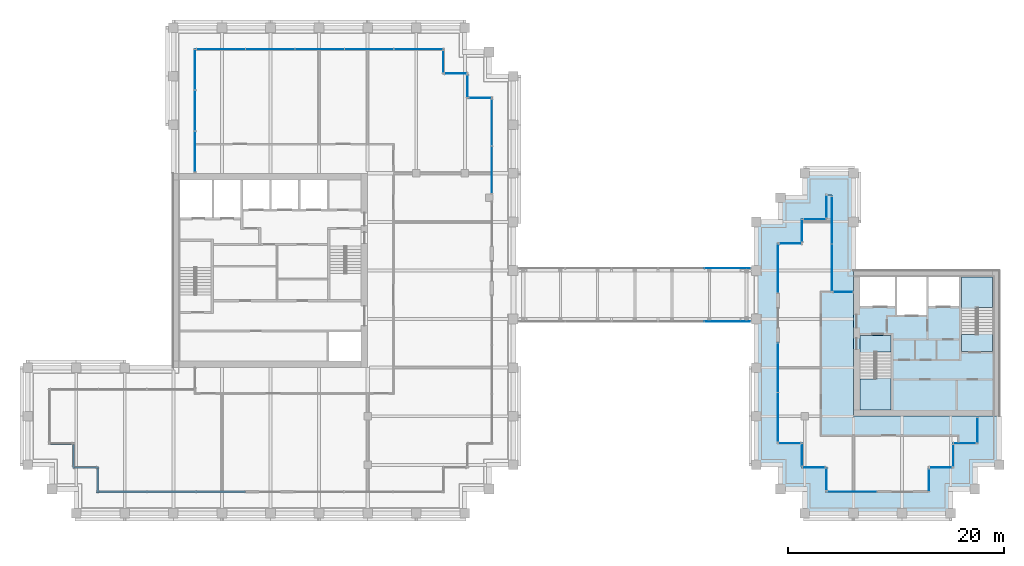
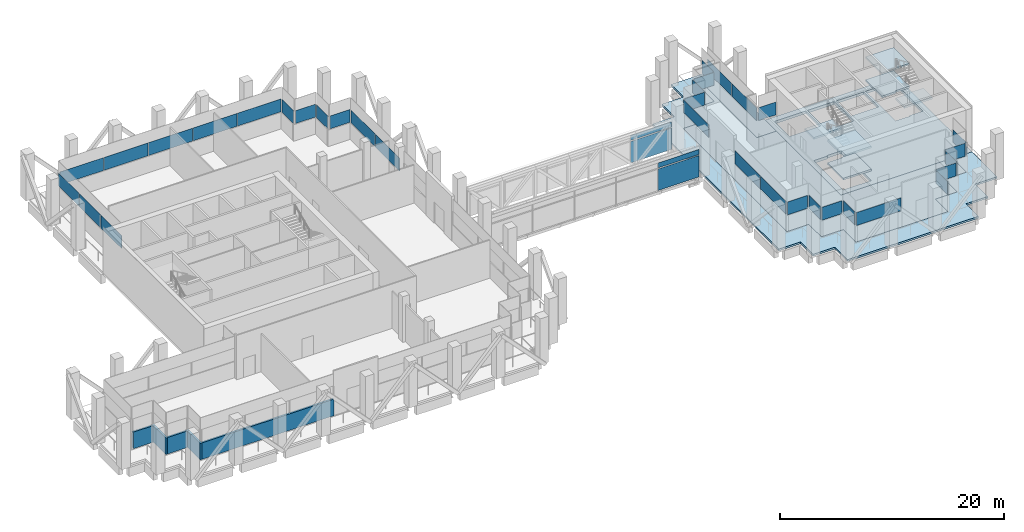
# One storey, part 27 of 34: 38 plates, 9 slabs, 5 walls, 29 elements without a shape of their own.
"""IFC4 building model written with IfcOpenShell, lengths in metres."""

from ifc_helpers import new_model, si_unit, direction, frame, frame_2d, origin, origin_2d, place, context, subcontext, project, spatial, polyline, rectangle, outline, extrude, material, layer, layer_set, type_object, element, aggregate, save


model = new_model("IFC4")

# Units and contexts
model_context = context("Model", 3, precision=1e-05, world=origin(), true_north=direction((0.0, 1.0)))
body_context = subcontext(model_context, "Body", "Model", "MODEL_VIEW")
ifc_project = project(units=[si_unit("LENGTHUNIT", "METRE"), si_unit("AREAUNIT", "SQUARE_METRE"), si_unit("VOLUMEUNIT", "CUBIC_METRE"), si_unit("PLANEANGLEUNIT", "RADIAN"), si_unit("MASSUNIT", "GRAM", prefix="KILO")], contexts=[model_context])

# Site, building, storey
site_placement = place(None, origin())
site = spatial("IfcSite", under=ifc_project, at=site_placement, CompositionType="ELEMENT")
building_placement = place(site_placement, origin())
building = spatial("IfcBuilding", under=site, at=building_placement, Name="Altepetl Exchange Towers", CompositionType="ELEMENT")
storey_placement = place(building_placement, frame((0.0, 0.0, 190.60009765625)))
storey = spatial("IfcBuildingStorey", under=building, at=storey_placement, Name="L48 Refuge", CompositionType="ELEMENT", Elevation=190.60009765625)

# Slabs
ifc_material_1 = material(Name="Concrete C40/50", Category="concrete")
ifc_layer_1 = layer(ifc_material_1, 0.199951171875)
ifc_layer_set_1 = layer_set([ifc_layer_1], Name="Concrete C40/50")
slab_type_1 = type_object("IfcSlabType", Name="Composite floor slab 200", PredefinedType="FLOOR", material=ifc_layer_set_1)
slab_1_placement = place(storey_placement, frame((0.0, 0.0, -0.2001953125)))
element("IfcSlab", 1, at=slab_1_placement, inside=storey, type_object=slab_type_1, Name="slab:B:L48:strip0", PredefinedType="FLOOR", context=body_context, shape_type="SweptSolid", body=[
    extrude(outline(polyline([(98.75, 31.25), (101.0, 31.25), (101.0, 29.0), (110.5, 29.0), (110.5, 31.25), (112.75, 31.25), (112.75, 33.5), (115.0, 33.5), (115.0, 36.0), (103.5, 36.0), (103.5, 47.5), (101.5, 47.5), (101.5, 56.5), (101.0, 56.5), (101.0, 54.25), (98.75, 54.25), (98.75, 52.0), (96.5, 52.0), (96.5, 33.5), (98.75, 33.5), (98.75, 31.25)])), origin(), (0.0, 0.0, 1.0), 0.2001953125),
])
ifc_layer_2 = layer(ifc_material_1, 0.300048828125)
ifc_layer_set_2 = layer_set([ifc_layer_2], Name="Concrete C40/50")
slab_type_2 = type_object("IfcSlabType", Name="Core floor slab 300", PredefinedType="FLOOR", material=ifc_layer_set_2)
slab_2_placement = place(storey_placement, frame((0.0, 0.0, -0.300048828125)))
element("IfcSlab", 2, at=slab_2_placement, inside=storey, type_object=slab_type_2, Name="slab:B:L48:core0", PredefinedType="FLOOR", context=body_context, shape_type="SweptSolid", body=[
    extrude(outline(polyline([(103.5, 36.0), (117.0, 36.0), (117.0, 49.5), (103.5, 49.5), (103.5, 36.0)]), holes=[polyline([(107.0, 36.60009765625), (104.10009765625, 36.60009765625), (104.10009765625, 41.85009765625), (105.5, 41.85009765625), (105.5, 41.948974609375), (107.0, 41.948974609375), (107.0, 36.60009765625)]), polyline([(113.5, 48.89990234375), (116.39990234375, 48.89990234375), (116.39990234375, 43.64990234375), (115.0, 43.64990234375), (115.0, 43.551025390625), (113.5, 43.551025390625), (113.5, 48.89990234375)]), polyline([(107.532958984375, 45.39990234375), (107.532958984375, 48.89990234375), (110.26708984375, 48.89990234375), (110.26708984375, 45.39990234375), (107.532958984375, 45.39990234375)]), polyline([(104.10009765625, 48.89990234375), (107.3330078125, 48.89990234375), (107.3330078125, 46.199951171875), (104.10009765625, 46.199951171875), (104.10009765625, 48.89990234375)]), polyline([(110.467041015625, 48.89990234375), (113.300048828125, 48.89990234375), (113.300048828125, 46.199951171875), (110.467041015625, 46.199951171875), (110.467041015625, 48.89990234375)])]), origin(), (0.0, 0.0, 1.0), 0.300048828125),
])

# Curtain wall, plates
ifc_material_2 = material(Name="Aluminium 6063-T6 glazing", Category="aluminium")
curtain_wall_type_1 = type_object("IfcCurtainWallType", Name="Bridge enclosure system", PredefinedType="NOTDEFINED", material=ifc_material_2)
curtain_wall_1_placement = place(storey_placement, origin())
curtain_wall_1 = element("IfcCurtainWall", 3, at=curtain_wall_1_placement, inside=storey, type_object=curtain_wall_type_1, Name="CW6 run", PredefinedType="NOTDEFINED")
ifc_material_3 = material(Name="Glass 6-16-6 low emissivity", Category="glass")
ifc_layer_3 = layer(ifc_material_3, 0.028076171875)
ifc_layer_set_3 = layer_set([ifc_layer_3], Name="Glass 6-16-6 low emissivity")
plate_type_1 = type_object("IfcPlateType", Name="Glass panel 28 double glazed", PredefinedType="CURTAIN_PANEL", material=ifc_layer_set_3)
plate_1_placement = place(storey_placement, frame((91.8349609375, 44.784912109375, 0.0)))
plate_1 = element("IfcPlate", 4, at=plate_1_placement, type_object=plate_type_1, Name="GP1 panel", PredefinedType="CURTAIN_PANEL", context=body_context, shape_type="SweptSolid", body=[
    extrude(rectangle(XDim=4.2099609375, YDim=0.028076171875, at=origin_2d()), origin(), (0.0, 0.0, 1.0), 2.340087890625),
])
plate_2_placement = place(storey_placement, frame((91.8349609375, 44.784912109375, 2.4599609375)))
plate_2 = element("IfcPlate", 5, at=plate_2_placement, type_object=plate_type_1, Name="GP1 panel", PredefinedType="CURTAIN_PANEL", context=body_context, shape_type="SweptSolid", body=[
    extrude(rectangle(XDim=4.2099609375, YDim=0.028076171875, at=origin_2d()), origin(), (0.0, 0.0, 1.0), 0.5400390625),
])
aggregate(curtain_wall_1, [plate_1, plate_2])

curtain_wall_2_placement = place(storey_placement, origin())
curtain_wall_2 = element("IfcCurtainWall", 6, at=curtain_wall_2_placement, inside=storey, type_object=curtain_wall_type_1, Name="CW6 run", PredefinedType="NOTDEFINED")
plate_3_placement = place(storey_placement, frame((91.8349609375, 49.715087890625, 0.0)))
plate_3 = element("IfcPlate", 7, at=plate_3_placement, type_object=plate_type_1, Name="GP1 panel", PredefinedType="CURTAIN_PANEL", context=body_context, shape_type="SweptSolid", body=[
    extrude(rectangle(XDim=4.2099609375, YDim=0.028076171875, at=origin_2d()), origin(), (0.0, 0.0, 1.0), 2.340087890625),
])
plate_4_placement = place(storey_placement, frame((91.8349609375, 49.715087890625, 2.4599609375)))
plate_4 = element("IfcPlate", 8, at=plate_4_placement, type_object=plate_type_1, Name="GP1 panel", PredefinedType="CURTAIN_PANEL", context=body_context, shape_type="SweptSolid", body=[
    extrude(rectangle(XDim=4.2099609375, YDim=0.028076171875, at=origin_2d()), origin(), (0.0, 0.0, 1.0), 0.5400390625),
])
aggregate(curtain_wall_2, [plate_3, plate_4])

curtain_wall_type_2 = type_object("IfcCurtainWallType", Name="Refuge slit glazing system", PredefinedType="NOTDEFINED", material=ifc_material_2)
curtain_wall_3_placement = place(storey_placement, origin())
curtain_wall_3 = element("IfcCurtainWall", 9, at=curtain_wall_3_placement, inside=storey, type_object=curtain_wall_type_2, Name="CW3 run", PredefinedType="NOTDEFINED")
ifc_material_4 = material(Name="Glass 8-20-8 solar control", Category="glass")
ifc_layer_4 = layer(ifc_material_4, 0.035888671875)
ifc_layer_set_4 = layer_set([ifc_layer_4], Name="Glass 8-20-8 solar control")
plate_type_2 = type_object("IfcPlateType", Name="Glass panel 36 double glazed", PredefinedType="CURTAIN_PANEL", material=ifc_layer_set_4)
plate_5_placement = place(storey_placement, frame((70.0, 58.830078125, 1.800048828125), z_axis=(0.0, 0.0, 1.0), x_axis=(0.0, 1.0, 0.0)))
plate_5 = element("IfcPlate", 10, at=plate_5_placement, type_object=plate_type_2, Name="GP2 panel", PredefinedType="CURTAIN_PANEL", context=body_context, shape_type="SweptSolid", body=[
    extrude(rectangle(XDim=4.300048828125, YDim=0.035888671875, at=origin_2d()), origin(), (0.0, 0.0, 1.0), 1.39990234375),
])
plate_6_placement = place(storey_placement, frame((70.0, 63.18994140625, 1.800048828125), z_axis=(0.0, 0.0, 1.0), x_axis=(0.0, 1.0, 0.0)))
plate_6 = element("IfcPlate", 11, at=plate_6_placement, type_object=plate_type_2, Name="GP2 panel", PredefinedType="CURTAIN_PANEL", context=body_context, shape_type="SweptSolid", body=[
    extrude(rectangle(XDim=4.300048828125, YDim=0.035888671875, at=origin_2d()), origin(), (0.0, 0.0, 1.0), 1.39990234375),
])
aggregate(curtain_wall_3, [plate_5, plate_6])

# Curtain wall, plate
curtain_wall_4_placement = place(storey_placement, origin())
curtain_wall_4 = element("IfcCurtainWall", 12, at=curtain_wall_4_placement, inside=storey, type_object=curtain_wall_type_2, Name="CW3 run", PredefinedType="NOTDEFINED")
plate_7_placement = place(storey_placement, frame((68.925048828125, 65.5, 1.800048828125), z_axis=(0.0, 0.0, 1.0), x_axis=(-1.0, 0.0, 0.0)))
plate_7 = element("IfcPlate", 13, at=plate_7_placement, type_object=plate_type_2, Name="GP2 panel", PredefinedType="CURTAIN_PANEL", context=body_context, shape_type="SweptSolid", body=[
    extrude(rectangle(XDim=2.030029296875, YDim=0.035888671875, at=origin_2d()), origin(), (0.0, 0.0, 1.0), 1.39990234375),
])
aggregate(curtain_wall_4, [plate_7])

curtain_wall_5_placement = place(storey_placement, origin())
curtain_wall_5 = element("IfcCurtainWall", 14, at=curtain_wall_5_placement, inside=storey, type_object=curtain_wall_type_2, Name="CW3 run", PredefinedType="NOTDEFINED")
plate_8_placement = place(storey_placement, frame((67.75, 66.574951171875, 1.800048828125), z_axis=(0.0, 0.0, 1.0), x_axis=(0.0, 1.0, 0.0)))
plate_8 = element("IfcPlate", 15, at=plate_8_placement, type_object=plate_type_2, Name="GP2 panel", PredefinedType="CURTAIN_PANEL", context=body_context, shape_type="SweptSolid", body=[
    extrude(rectangle(XDim=2.030029296875, YDim=0.035888671875, at=origin_2d()), origin(), (0.0, 0.0, 1.0), 1.39990234375),
])
aggregate(curtain_wall_5, [plate_8])

curtain_wall_6_placement = place(storey_placement, origin())
curtain_wall_6 = element("IfcCurtainWall", 16, at=curtain_wall_6_placement, inside=storey, type_object=curtain_wall_type_2, Name="CW3 run", PredefinedType="NOTDEFINED")
plate_9_placement = place(storey_placement, frame((66.675048828125, 67.75, 1.800048828125), z_axis=(0.0, 0.0, 1.0), x_axis=(-1.0, 0.0, 0.0)))
plate_9 = element("IfcPlate", 17, at=plate_9_placement, type_object=plate_type_2, Name="GP2 panel", PredefinedType="CURTAIN_PANEL", context=body_context, shape_type="SweptSolid", body=[
    extrude(rectangle(XDim=2.030029296875, YDim=0.035888671875, at=origin_2d()), origin(), (0.0, 0.0, 1.0), 1.39990234375),
])
aggregate(curtain_wall_6, [plate_9])

curtain_wall_7_placement = place(storey_placement, origin())
curtain_wall_7 = element("IfcCurtainWall", 18, at=curtain_wall_7_placement, inside=storey, type_object=curtain_wall_type_2, Name="CW3 run", PredefinedType="NOTDEFINED")
plate_10_placement = place(storey_placement, frame((65.5, 68.824951171875, 1.800048828125), z_axis=(0.0, 0.0, 1.0), x_axis=(0.0, 1.0, 0.0)))
plate_10 = element("IfcPlate", 19, at=plate_10_placement, type_object=plate_type_2, Name="GP2 panel", PredefinedType="CURTAIN_PANEL", context=body_context, shape_type="SweptSolid", body=[
    extrude(rectangle(XDim=2.030029296875, YDim=0.035888671875, at=origin_2d()), origin(), (0.0, 0.0, 1.0), 1.39990234375),
])
aggregate(curtain_wall_7, [plate_10])

# Curtain wall, plates
curtain_wall_8_placement = place(storey_placement, origin())
curtain_wall_8 = element("IfcCurtainWall", 20, at=curtain_wall_8_placement, inside=storey, type_object=curtain_wall_type_2, Name="CW3 run", PredefinedType="NOTDEFINED")
plate_11_placement = place(storey_placement, frame((63.195068359375, 70.0, 1.800048828125), z_axis=(0.0, 0.0, 1.0), x_axis=(-1.0, 0.0, 0.0)))
plate_11 = element("IfcPlate", 21, at=plate_11_placement, type_object=plate_type_2, Name="GP2 panel", PredefinedType="CURTAIN_PANEL", context=body_context, shape_type="SweptSolid", body=[
    extrude(rectangle(XDim=4.489990234375, YDim=0.035888671875, at=origin_2d()), origin(), (0.0, 0.0, 1.0), 1.39990234375),
])
plate_12_placement = place(storey_placement, frame((58.6298828125, 70.0, 1.800048828125), z_axis=(0.0, 0.0, 1.0), x_axis=(-1.0, 0.0, 0.0)))
plate_12 = element("IfcPlate", 22, at=plate_12_placement, type_object=plate_type_2, Name="GP2 panel", PredefinedType="CURTAIN_PANEL", context=body_context, shape_type="SweptSolid", body=[
    extrude(rectangle(XDim=4.52001953125, YDim=0.035888671875, at=origin_2d()), origin(), (0.0, 0.0, 1.0), 1.39990234375),
])
plate_13_placement = place(storey_placement, frame((54.050048828125, 70.0, 1.800048828125), z_axis=(0.0, 0.0, 1.0), x_axis=(-1.0, 0.0, 0.0)))
plate_13 = element("IfcPlate", 23, at=plate_13_placement, type_object=plate_type_2, Name="GP2 panel", PredefinedType="CURTAIN_PANEL", context=body_context, shape_type="SweptSolid", body=[
    extrude(rectangle(XDim=4.52001953125, YDim=0.035888671875, at=origin_2d()), origin(), (0.0, 0.0, 1.0), 1.39990234375),
])
plate_14_placement = place(storey_placement, frame((49.469970703125, 70.0, 1.800048828125), z_axis=(0.0, 0.0, 1.0), x_axis=(-1.0, 0.0, 0.0)))
plate_14 = element("IfcPlate", 24, at=plate_14_placement, type_object=plate_type_2, Name="GP2 panel", PredefinedType="CURTAIN_PANEL", context=body_context, shape_type="SweptSolid", body=[
    extrude(rectangle(XDim=4.52001953125, YDim=0.035888671875, at=origin_2d()), origin(), (0.0, 0.0, 1.0), 1.39990234375),
])
plate_15_placement = place(storey_placement, frame((44.905029296875, 70.0, 1.800048828125), z_axis=(0.0, 0.0, 1.0), x_axis=(-1.0, 0.0, 0.0)))
plate_15 = element("IfcPlate", 25, at=plate_15_placement, type_object=plate_type_2, Name="GP2 panel", PredefinedType="CURTAIN_PANEL", context=body_context, shape_type="SweptSolid", body=[
    extrude(rectangle(XDim=4.489990234375, YDim=0.035888671875, at=origin_2d()), origin(), (0.0, 0.0, 1.0), 1.39990234375),
])
aggregate(curtain_wall_8, [plate_11, plate_12, plate_13, plate_14, plate_15])

curtain_wall_9_placement = place(storey_placement, origin())
curtain_wall_9 = element("IfcCurtainWall", 26, at=curtain_wall_9_placement, inside=storey, type_object=curtain_wall_type_2, Name="CW3 run", PredefinedType="NOTDEFINED")
plate_16_placement = place(storey_placement, frame((42.5, 68.0849609375, 1.800048828125), z_axis=(0.0, 0.0, 1.0), x_axis=(0.0, -1.0, 0.0)))
plate_16 = element("IfcPlate", 27, at=plate_16_placement, type_object=plate_type_2, Name="GP2 panel", PredefinedType="CURTAIN_PANEL", context=body_context, shape_type="SweptSolid", body=[
    extrude(rectangle(XDim=3.7099609375, YDim=0.035888671875, at=origin_2d()), origin(), (0.0, 0.0, 1.0), 1.39990234375),
])
plate_17_placement = place(storey_placement, frame((42.5, 64.300048828125, 1.800048828125), z_axis=(0.0, 0.0, 1.0), x_axis=(0.0, -1.0, 0.0)))
plate_17 = element("IfcPlate", 28, at=plate_17_placement, type_object=plate_type_2, Name="GP2 panel", PredefinedType="CURTAIN_PANEL", context=body_context, shape_type="SweptSolid", body=[
    extrude(rectangle(XDim=3.739990234375, YDim=0.035888671875, at=origin_2d()), origin(), (0.0, 0.0, 1.0), 1.39990234375),
])
plate_18_placement = place(storey_placement, frame((42.5, 60.514892578125, 1.800048828125), z_axis=(0.0, 0.0, 1.0), x_axis=(0.0, -1.0, 0.0)))
plate_18 = element("IfcPlate", 29, at=plate_18_placement, type_object=plate_type_2, Name="GP2 panel", PredefinedType="CURTAIN_PANEL", context=body_context, shape_type="SweptSolid", body=[
    extrude(rectangle(XDim=3.7099609375, YDim=0.035888671875, at=origin_2d()), origin(), (0.0, 0.0, 1.0), 1.39990234375),
])
aggregate(curtain_wall_9, [plate_16, plate_17, plate_18])

# Curtain wall, plate
curtain_wall_10_placement = place(storey_placement, origin())
curtain_wall_10 = element("IfcCurtainWall", 30, at=curtain_wall_10_placement, inside=storey, type_object=curtain_wall_type_2, Name="CW3 run", PredefinedType="NOTDEFINED")
plate_19_placement = place(storey_placement, frame((101.0, 30.175048828125, 1.800048828125), z_axis=(0.0, 0.0, 1.0), x_axis=(0.0, -1.0, 0.0)))
plate_19 = element("IfcPlate", 31, at=plate_19_placement, type_object=plate_type_2, Name="GP2 panel", PredefinedType="CURTAIN_PANEL", context=body_context, shape_type="SweptSolid", body=[
    extrude(rectangle(XDim=2.030029296875, YDim=0.035888671875, at=origin_2d()), origin(), (0.0, 0.0, 1.0), 1.39990234375),
])
aggregate(curtain_wall_10, [plate_19])

curtain_wall_11_placement = place(storey_placement, origin())
curtain_wall_11 = element("IfcCurtainWall", 32, at=curtain_wall_11_placement, inside=storey, type_object=curtain_wall_type_2, Name="CW3 run", PredefinedType="NOTDEFINED")
plate_20_placement = place(storey_placement, frame((103.35009765625, 29.0, 1.800048828125)))
plate_20 = element("IfcPlate", 33, at=plate_20_placement, type_object=plate_type_2, Name="GP2 panel", PredefinedType="CURTAIN_PANEL", context=body_context, shape_type="SweptSolid", body=[
    extrude(rectangle(XDim=4.580078125, YDim=0.035888671875, at=origin_2d()), origin(), (0.0, 0.0, 1.0), 1.39990234375),
])
aggregate(curtain_wall_11, [plate_20])

curtain_wall_12_placement = place(storey_placement, origin())
curtain_wall_12 = element("IfcCurtainWall", 34, at=curtain_wall_12_placement, inside=storey, type_object=curtain_wall_type_2, Name="CW3 run", PredefinedType="NOTDEFINED")
plate_21_placement = place(storey_placement, frame((110.5, 30.074951171875, 1.800048828125), z_axis=(0.0, 0.0, 1.0), x_axis=(0.0, 1.0, 0.0)))
plate_21 = element("IfcPlate", 35, at=plate_21_placement, type_object=plate_type_2, Name="GP2 panel", PredefinedType="CURTAIN_PANEL", context=body_context, shape_type="SweptSolid", body=[
    extrude(rectangle(XDim=2.030029296875, YDim=0.035888671875, at=origin_2d()), origin(), (0.0, 0.0, 1.0), 1.39990234375),
])
aggregate(curtain_wall_12, [plate_21])

curtain_wall_13_placement = place(storey_placement, origin())
curtain_wall_13 = element("IfcCurtainWall", 36, at=curtain_wall_13_placement, inside=storey, type_object=curtain_wall_type_2, Name="CW3 run", PredefinedType="NOTDEFINED")
plate_22_placement = place(storey_placement, frame((111.574951171875, 31.25, 1.800048828125)))
plate_22 = element("IfcPlate", 37, at=plate_22_placement, type_object=plate_type_2, Name="GP2 panel", PredefinedType="CURTAIN_PANEL", context=body_context, shape_type="SweptSolid", body=[
    extrude(rectangle(XDim=2.030029296875, YDim=0.035888671875, at=origin_2d()), origin(), (0.0, 0.0, 1.0), 1.39990234375),
])
aggregate(curtain_wall_13, [plate_22])

curtain_wall_14_placement = place(storey_placement, origin())
curtain_wall_14 = element("IfcCurtainWall", 38, at=curtain_wall_14_placement, inside=storey, type_object=curtain_wall_type_2, Name="CW3 run", PredefinedType="NOTDEFINED")
plate_23_placement = place(storey_placement, frame((112.75, 32.324951171875, 1.800048828125), z_axis=(0.0, 0.0, 1.0), x_axis=(0.0, 1.0, 0.0)))
plate_23 = element("IfcPlate", 39, at=plate_23_placement, type_object=plate_type_2, Name="GP2 panel", PredefinedType="CURTAIN_PANEL", context=body_context, shape_type="SweptSolid", body=[
    extrude(rectangle(XDim=2.030029296875, YDim=0.035888671875, at=origin_2d()), origin(), (0.0, 0.0, 1.0), 1.39990234375),
])
aggregate(curtain_wall_14, [plate_23])

curtain_wall_15_placement = place(storey_placement, origin())
curtain_wall_15 = element("IfcCurtainWall", 40, at=curtain_wall_15_placement, inside=storey, type_object=curtain_wall_type_2, Name="CW3 run", PredefinedType="NOTDEFINED")
plate_24_placement = place(storey_placement, frame((113.824951171875, 33.5, 1.800048828125)))
plate_24 = element("IfcPlate", 41, at=plate_24_placement, type_object=plate_type_2, Name="GP2 panel", PredefinedType="CURTAIN_PANEL", context=body_context, shape_type="SweptSolid", body=[
    extrude(rectangle(XDim=2.030029296875, YDim=0.035888671875, at=origin_2d()), origin(), (0.0, 0.0, 1.0), 1.39990234375),
])
aggregate(curtain_wall_15, [plate_24])

curtain_wall_16_placement = place(storey_placement, origin())
curtain_wall_16 = element("IfcCurtainWall", 42, at=curtain_wall_16_placement, inside=storey, type_object=curtain_wall_type_2, Name="CW3 run", PredefinedType="NOTDEFINED")
plate_25_placement = place(storey_placement, frame((115.0, 34.699951171875, 1.800048828125), z_axis=(0.0, 0.0, 1.0), x_axis=(0.0, 1.0, 0.0)))
plate_25 = element("IfcPlate", 43, at=plate_25_placement, type_object=plate_type_2, Name="GP2 panel", PredefinedType="CURTAIN_PANEL", context=body_context, shape_type="SweptSolid", body=[
    extrude(rectangle(XDim=2.280029296875, YDim=0.035888671875, at=origin_2d()), origin(), (0.0, 0.0, 1.0), 1.39990234375),
])
aggregate(curtain_wall_16, [plate_25])

curtain_wall_17_placement = place(storey_placement, origin())
curtain_wall_17 = element("IfcCurtainWall", 44, at=curtain_wall_17_placement, inside=storey, type_object=curtain_wall_type_2, Name="CW3 run", PredefinedType="NOTDEFINED")
plate_26_placement = place(storey_placement, frame((102.550048828125, 47.5, 1.800048828125), z_axis=(0.0, 0.0, 1.0), x_axis=(-1.0, 0.0, 0.0)))
plate_26 = element("IfcPlate", 45, at=plate_26_placement, type_object=plate_type_2, Name="GP2 panel", PredefinedType="CURTAIN_PANEL", context=body_context, shape_type="SweptSolid", body=[
    extrude(rectangle(XDim=1.780029296875, YDim=0.035888671875, at=origin_2d()), origin(), (0.0, 0.0, 1.0), 1.39990234375),
])
aggregate(curtain_wall_17, [plate_26])

# Curtain wall, plates
curtain_wall_18_placement = place(storey_placement, origin())
curtain_wall_18 = element("IfcCurtainWall", 46, at=curtain_wall_18_placement, inside=storey, type_object=curtain_wall_type_2, Name="CW3 run", PredefinedType="NOTDEFINED")
plate_27_placement = place(storey_placement, frame((101.5, 49.739990234375, 1.800048828125), z_axis=(0.0, 0.0, 1.0), x_axis=(0.0, 1.0, 0.0)))
plate_27 = element("IfcPlate", 47, at=plate_27_placement, type_object=plate_type_2, Name="GP2 panel", PredefinedType="CURTAIN_PANEL", context=body_context, shape_type="SweptSolid", body=[
    extrude(rectangle(XDim=4.360107421875, YDim=0.035888671875, at=origin_2d()), origin(), (0.0, 0.0, 1.0), 1.39990234375),
])
plate_28_placement = place(storey_placement, frame((101.5, 54.159912109375, 1.800048828125), z_axis=(0.0, 0.0, 1.0), x_axis=(0.0, 1.0, 0.0)))
plate_28 = element("IfcPlate", 48, at=plate_28_placement, type_object=plate_type_2, Name="GP2 panel", PredefinedType="CURTAIN_PANEL", context=body_context, shape_type="SweptSolid", body=[
    extrude(rectangle(XDim=4.360107421875, YDim=0.035888671875, at=origin_2d()), origin(), (0.0, 0.0, 1.0), 1.39990234375),
])
aggregate(curtain_wall_18, [plate_27, plate_28])

# Curtain wall, plate
curtain_wall_19_placement = place(storey_placement, origin())
curtain_wall_19 = element("IfcCurtainWall", 49, at=curtain_wall_19_placement, inside=storey, type_object=curtain_wall_type_2, Name="CW3 run", PredefinedType="NOTDEFINED")
plate_29_placement = place(storey_placement, frame((101.0, 55.425048828125, 1.800048828125), z_axis=(0.0, 0.0, 1.0), x_axis=(0.0, -1.0, 0.0)))
plate_29 = element("IfcPlate", 50, at=plate_29_placement, type_object=plate_type_2, Name="GP2 panel", PredefinedType="CURTAIN_PANEL", context=body_context, shape_type="SweptSolid", body=[
    extrude(rectangle(XDim=2.030029296875, YDim=0.035888671875, at=origin_2d()), origin(), (0.0, 0.0, 1.0), 1.39990234375),
])
aggregate(curtain_wall_19, [plate_29])

curtain_wall_20_placement = place(storey_placement, origin())
curtain_wall_20 = element("IfcCurtainWall", 51, at=curtain_wall_20_placement, inside=storey, type_object=curtain_wall_type_2, Name="CW3 run", PredefinedType="NOTDEFINED")
plate_30_placement = place(storey_placement, frame((99.925048828125, 54.25, 1.800048828125), z_axis=(0.0, 0.0, 1.0), x_axis=(-1.0, 0.0, 0.0)))
plate_30 = element("IfcPlate", 52, at=plate_30_placement, type_object=plate_type_2, Name="GP2 panel", PredefinedType="CURTAIN_PANEL", context=body_context, shape_type="SweptSolid", body=[
    extrude(rectangle(XDim=2.030029296875, YDim=0.035888671875, at=origin_2d()), origin(), (0.0, 0.0, 1.0), 1.39990234375),
])
aggregate(curtain_wall_20, [plate_30])

curtain_wall_21_placement = place(storey_placement, origin())
curtain_wall_21 = element("IfcCurtainWall", 53, at=curtain_wall_21_placement, inside=storey, type_object=curtain_wall_type_2, Name="CW3 run", PredefinedType="NOTDEFINED")
plate_31_placement = place(storey_placement, frame((98.75, 53.175048828125, 1.800048828125), z_axis=(0.0, 0.0, 1.0), x_axis=(0.0, -1.0, 0.0)))
plate_31 = element("IfcPlate", 54, at=plate_31_placement, type_object=plate_type_2, Name="GP2 panel", PredefinedType="CURTAIN_PANEL", context=body_context, shape_type="SweptSolid", body=[
    extrude(rectangle(XDim=2.030029296875, YDim=0.035888671875, at=origin_2d()), origin(), (0.0, 0.0, 1.0), 1.39990234375),
])
aggregate(curtain_wall_21, [plate_31])

curtain_wall_22_placement = place(storey_placement, origin())
curtain_wall_22 = element("IfcCurtainWall", 55, at=curtain_wall_22_placement, inside=storey, type_object=curtain_wall_type_2, Name="CW3 run", PredefinedType="NOTDEFINED")
plate_32_placement = place(storey_placement, frame((97.675048828125, 52.0, 1.800048828125), z_axis=(0.0, 0.0, 1.0), x_axis=(-1.0, 0.0, 0.0)))
plate_32 = element("IfcPlate", 56, at=plate_32_placement, type_object=plate_type_2, Name="GP2 panel", PredefinedType="CURTAIN_PANEL", context=body_context, shape_type="SweptSolid", body=[
    extrude(rectangle(XDim=2.030029296875, YDim=0.035888671875, at=origin_2d()), origin(), (0.0, 0.0, 1.0), 1.39990234375),
])
aggregate(curtain_wall_22, [plate_32])

curtain_wall_23_placement = place(storey_placement, origin())
curtain_wall_23 = element("IfcCurtainWall", 57, at=curtain_wall_23_placement, inside=storey, type_object=curtain_wall_type_2, Name="CW3 run", PredefinedType="NOTDEFINED")
plate_33_placement = place(storey_placement, frame((96.5, 49.699951171875, 1.800048828125), z_axis=(0.0, 0.0, 1.0), x_axis=(0.0, -1.0, 0.0)))
plate_33 = element("IfcPlate", 58, at=plate_33_placement, type_object=plate_type_2, Name="GP2 panel", PredefinedType="CURTAIN_PANEL", context=body_context, shape_type="SweptSolid", body=[
    extrude(rectangle(XDim=4.47998046875, YDim=0.035888671875, at=origin_2d()), origin(), (0.0, 0.0, 1.0), 1.39990234375),
])
aggregate(curtain_wall_23, [plate_33])

# Curtain wall, plates
curtain_wall_24_placement = place(storey_placement, origin())
curtain_wall_24 = element("IfcCurtainWall", 59, at=curtain_wall_24_placement, inside=storey, type_object=curtain_wall_type_2, Name="CW3 run", PredefinedType="NOTDEFINED")
plate_34_placement = place(storey_placement, frame((96.5, 40.485107421875, 1.800048828125), z_axis=(0.0, 0.0, 1.0), x_axis=(0.0, -1.0, 0.0)))
plate_34 = element("IfcPlate", 60, at=plate_34_placement, type_object=plate_type_2, Name="GP2 panel", PredefinedType="CURTAIN_PANEL", context=body_context, shape_type="SweptSolid", body=[
    extrude(rectangle(XDim=4.510009765625, YDim=0.035888671875, at=origin_2d()), origin(), (0.0, 0.0, 1.0), 1.39990234375),
])
plate_35_placement = place(storey_placement, frame((96.5, 35.9150390625, 1.800048828125), z_axis=(0.0, 0.0, 1.0), x_axis=(0.0, -1.0, 0.0)))
plate_35 = element("IfcPlate", 61, at=plate_35_placement, type_object=plate_type_2, Name="GP2 panel", PredefinedType="CURTAIN_PANEL", context=body_context, shape_type="SweptSolid", body=[
    extrude(rectangle(XDim=4.510009765625, YDim=0.035888671875, at=origin_2d()), origin(), (0.0, 0.0, 1.0), 1.39990234375),
])
aggregate(curtain_wall_24, [plate_34, plate_35])

# Curtain wall, plate
curtain_wall_25_placement = place(storey_placement, origin())
curtain_wall_25 = element("IfcCurtainWall", 62, at=curtain_wall_25_placement, inside=storey, type_object=curtain_wall_type_2, Name="CW3 run", PredefinedType="NOTDEFINED")
plate_36_placement = place(storey_placement, frame((97.574951171875, 33.5, 1.800048828125)))
plate_36 = element("IfcPlate", 63, at=plate_36_placement, type_object=plate_type_2, Name="GP2 panel", PredefinedType="CURTAIN_PANEL", context=body_context, shape_type="SweptSolid", body=[
    extrude(rectangle(XDim=2.030029296875, YDim=0.035888671875, at=origin_2d()), origin(), (0.0, 0.0, 1.0), 1.39990234375),
])
aggregate(curtain_wall_25, [plate_36])

curtain_wall_26_placement = place(storey_placement, origin())
curtain_wall_26 = element("IfcCurtainWall", 64, at=curtain_wall_26_placement, inside=storey, type_object=curtain_wall_type_2, Name="CW3 run", PredefinedType="NOTDEFINED")
plate_37_placement = place(storey_placement, frame((98.75, 32.425048828125, 1.800048828125), z_axis=(0.0, 0.0, 1.0), x_axis=(0.0, -1.0, 0.0)))
plate_37 = element("IfcPlate", 65, at=plate_37_placement, type_object=plate_type_2, Name="GP2 panel", PredefinedType="CURTAIN_PANEL", context=body_context, shape_type="SweptSolid", body=[
    extrude(rectangle(XDim=2.030029296875, YDim=0.035888671875, at=origin_2d()), origin(), (0.0, 0.0, 1.0), 1.39990234375),
])
aggregate(curtain_wall_26, [plate_37])

curtain_wall_27_placement = place(storey_placement, origin())
curtain_wall_27 = element("IfcCurtainWall", 66, at=curtain_wall_27_placement, inside=storey, type_object=curtain_wall_type_2, Name="CW3 run", PredefinedType="NOTDEFINED")
plate_38_placement = place(storey_placement, frame((99.824951171875, 31.25, 1.800048828125)))
plate_38 = element("IfcPlate", 67, at=plate_38_placement, type_object=plate_type_2, Name="GP2 panel", PredefinedType="CURTAIN_PANEL", context=body_context, shape_type="SweptSolid", body=[
    extrude(rectangle(XDim=2.030029296875, YDim=0.035888671875, at=origin_2d()), origin(), (0.0, 0.0, 1.0), 1.39990234375),
])
aggregate(curtain_wall_27, [plate_38])

# Slab
ifc_layer_5 = layer(ifc_material_1, 0.199951171875)
ifc_layer_set_5 = layer_set([ifc_layer_5], Name="Concrete C40/50")
slab_type_3 = type_object("IfcSlabType", Name="Loggia slab 200", PredefinedType="FLOOR", material=ifc_layer_set_5)
slab_3_placement = place(storey_placement, frame((0.0, 0.0, -0.2001953125)))
element("IfcSlab", 68, at=slab_3_placement, inside=storey, type_object=slab_type_3, Name="slab:B:L48:loggia0", PredefinedType="FLOOR", context=body_context, shape_type="SweptSolid", body=[
    extrude(outline(polyline([(99.0, 29.25), (99.0, 27.0), (112.5, 27.0), (112.5, 29.25), (114.75, 29.25), (114.75, 31.5), (117.0, 31.5), (117.0, 36.0), (115.0, 36.0), (115.0, 33.5), (112.75, 33.5), (112.75, 31.25), (110.5, 31.25), (110.5, 29.0), (101.0, 29.0), (101.0, 31.25), (98.75, 31.25), (98.75, 33.5), (96.5, 33.5), (96.5, 52.0), (98.75, 52.0), (98.75, 54.25), (101.0, 54.25), (101.0, 56.5), (101.5, 56.5), (101.5, 47.5), (103.5, 47.5), (103.5, 49.5), (103.5, 58.5), (99.0, 58.5), (99.0, 56.25), (96.75, 56.25), (96.75, 54.0), (94.5, 54.0), (94.5, 36.0), (94.5, 31.5), (96.75, 31.5), (96.75, 29.25), (99.0, 29.25)])), origin(), (0.0, 0.0, 1.0), 0.2001953125),
])

# Stair, slabs
stair_type = type_object("IfcStairType", Name="Exit stair 1400 flights dogleg", PredefinedType="HALF_TURN_STAIR", material=ifc_material_1)
stair_1_placement = place(storey_placement, origin())
stair_1 = element("IfcStair", 69, at=stair_1_placement, inside=storey, type_object=stair_type, Name="Exit stair 1", PredefinedType="HALF_TURN_STAIR")
ifc_layer_6 = layer(ifc_material_1, 0.199951171875)
ifc_layer_set_6 = layer_set([ifc_layer_6], Name="Concrete C40/50")
slab_type_4 = type_object("IfcSlabType", Name="Stair landing 200 reinforced concrete", PredefinedType="LANDING", material=ifc_layer_set_6)
slab_4_placement = place(storey_placement, frame((0.0, 0.0, 1.0498046875)))
slab_4 = element("IfcSlab", 70, at=slab_4_placement, type_object=slab_type_4, Name="ST-B1e landing 1", PredefinedType="LANDING", context=body_context, shape_type="SweptSolid", body=[
    extrude(outline(polyline([(107.0, 36.60009765625), (104.10009765625, 36.60009765625), (104.10009765625, 39.429931640625), (104.10009765625, 39.4306640625), (105.5, 39.4306640625), (105.5, 39.429931640625), (105.60009765625, 39.429931640625), (105.60009765625, 39.530029296875), (107.0, 39.530029296875), (107.0, 39.429931640625), (107.0, 36.60009765625)])), origin(), (0.0, 0.0, 1.0), 0.2001953125),
])
slab_5_placement = place(storey_placement, frame((0.0, 0.0, 2.2998046875)))
slab_5 = element("IfcSlab", 71, at=slab_5_placement, type_object=slab_type_4, Name="ST-B1e landing 2", PredefinedType="LANDING", context=body_context, shape_type="SweptSolid", body=[
    extrude(outline(polyline([(105.5, 41.85009765625), (104.10009765625, 41.85009765625), (104.10009765625, 41.949951171875), (104.10009765625, 43.5), (107.0, 43.5), (107.0, 41.949951171875), (107.0, 41.94921875), (105.60009765625, 41.94921875), (105.60009765625, 41.949951171875), (105.5, 41.949951171875), (105.5, 41.85009765625)])), origin(), (0.0, 0.0, 1.0), 0.2001953125),
])
slab_6_placement = place(storey_placement, frame((0.0, 0.0, 3.5498046875)))
slab_6 = element("IfcSlab", 72, at=slab_6_placement, type_object=slab_type_4, Name="ST-B1e landing 3", PredefinedType="LANDING", context=body_context, shape_type="SweptSolid", body=[
    extrude(outline(polyline([(107.0, 36.60009765625), (104.10009765625, 36.60009765625), (104.10009765625, 39.429931640625), (104.10009765625, 39.4306640625), (105.5, 39.4306640625), (105.5, 39.429931640625), (105.60009765625, 39.429931640625), (105.60009765625, 39.530029296875), (107.0, 39.530029296875), (107.0, 39.429931640625), (107.0, 36.60009765625)])), origin(), (0.0, 0.0, 1.0), 0.2001953125),
])
aggregate(stair_1, [slab_4, slab_5, slab_6])

stair_2_placement = place(storey_placement, origin())
stair_2 = element("IfcStair", 73, at=stair_2_placement, inside=storey, type_object=stair_type, Name="Exit stair 2", PredefinedType="HALF_TURN_STAIR")
slab_7_placement = place(storey_placement, frame((0.0, 0.0, 1.0498046875)))
slab_7 = element("IfcSlab", 74, at=slab_7_placement, type_object=slab_type_4, Name="ST-B2e landing 1", PredefinedType="LANDING", context=body_context, shape_type="SweptSolid", body=[
    extrude(outline(polyline([(114.89990234375, 45.969970703125), (113.5, 45.969970703125), (113.5, 46.070068359375), (113.5, 48.89990234375), (116.39990234375, 48.89990234375), (116.39990234375, 46.070068359375), (116.39990234375, 46.0693359375), (115.0, 46.0693359375), (115.0, 46.070068359375), (114.89990234375, 46.070068359375), (114.89990234375, 45.969970703125)])), origin(), (0.0, 0.0, 1.0), 0.2001953125),
])
slab_8_placement = place(storey_placement, frame((0.0, 0.0, 2.2998046875)))
slab_8 = element("IfcSlab", 75, at=slab_8_placement, type_object=slab_type_4, Name="ST-B2e landing 2", PredefinedType="LANDING", context=body_context, shape_type="SweptSolid", body=[
    extrude(outline(polyline([(116.39990234375, 42.0), (113.5, 42.0), (113.5, 43.550048828125), (113.5, 43.55078125), (114.89990234375, 43.55078125), (114.89990234375, 43.550048828125), (115.0, 43.550048828125), (115.0, 43.64990234375), (116.39990234375, 43.64990234375), (116.39990234375, 43.550048828125), (116.39990234375, 42.0)])), origin(), (0.0, 0.0, 1.0), 0.2001953125),
])
slab_9_placement = place(storey_placement, frame((0.0, 0.0, 3.5498046875)))
slab_9 = element("IfcSlab", 76, at=slab_9_placement, type_object=slab_type_4, Name="ST-B2e landing 3", PredefinedType="LANDING", context=body_context, shape_type="SweptSolid", body=[
    extrude(outline(polyline([(114.89990234375, 45.969970703125), (113.5, 45.969970703125), (113.5, 46.070068359375), (113.5, 48.89990234375), (116.39990234375, 48.89990234375), (116.39990234375, 46.070068359375), (116.39990234375, 46.0693359375), (115.0, 46.0693359375), (115.0, 46.070068359375), (114.89990234375, 46.070068359375), (114.89990234375, 45.969970703125)])), origin(), (0.0, 0.0, 1.0), 0.2001953125),
])
aggregate(stair_2, [slab_7, slab_8, slab_9])

# Walls
ifc_material_5 = material(Name="Cantera limestone cladding", Category="masonry")
ifc_layer_7 = layer(ifc_material_5, 0.199951171875)
ifc_layer_set_7 = layer_set([ifc_layer_7], Name="Cantera limestone cladding")
wall_type = type_object("IfcWallType", Name="Refuge stone wall 200", PredefinedType="ELEMENTEDWALL", material=ifc_layer_set_7)
wall_1_placement = place(storey_placement, frame((29.10009765625, 33.5, 0.0)))
element("IfcWall", 77, at=wall_1_placement, inside=storey, type_object=wall_type, Name="Refuge stone wall", PredefinedType="ELEMENTEDWALL", context=body_context, shape_type="SweptSolid", body=[
    extrude(rectangle(XDim=2.25, YDim=0.199951171875, at=frame_2d((1.125, 0.0))), origin(), (0.0, 0.0, 1.0), 1.7998046875),
])
wall_2_placement = place(storey_placement, frame((31.25, 33.39990234375, 0.0), z_axis=(0.0, 0.0, 1.0), x_axis=(0.0, -1.0, 0.0)))
element("IfcWall", 78, at=wall_2_placement, inside=storey, type_object=wall_type, Name="Refuge stone wall", PredefinedType="ELEMENTEDWALL", context=body_context, shape_type="SweptSolid", body=[
    extrude(rectangle(XDim=2.25, YDim=0.199951171875, at=frame_2d((1.125, 0.0))), origin(), (0.0, 0.0, 1.0), 1.7998046875),
])
wall_3_placement = place(storey_placement, frame((31.35009765625, 31.25, 0.0)))
element("IfcWall", 79, at=wall_3_placement, inside=storey, type_object=wall_type, Name="Refuge stone wall", PredefinedType="ELEMENTEDWALL", context=body_context, shape_type="SweptSolid", body=[
    extrude(rectangle(XDim=2.25, YDim=0.199951171875, at=frame_2d((1.125, 0.0))), origin(), (0.0, 0.0, 1.0), 1.7998046875),
])
wall_4_placement = place(storey_placement, frame((33.5, 31.14990234375, 0.0), z_axis=(0.0, 0.0, 1.0), x_axis=(0.0, -1.0, 0.0)))
element("IfcWall", 80, at=wall_4_placement, inside=storey, type_object=wall_type, Name="Refuge stone wall", PredefinedType="ELEMENTEDWALL", context=body_context, shape_type="SweptSolid", body=[
    extrude(rectangle(XDim=2.25, YDim=0.199951171875, at=frame_2d((1.125, 0.0))), origin(), (0.0, 0.0, 1.0), 1.7998046875),
])
wall_5_placement = place(storey_placement, frame((33.60009765625, 29.0, 0.0)))
element("IfcWall", 81, at=wall_5_placement, inside=storey, type_object=wall_type, Name="Refuge stone wall", PredefinedType="ELEMENTEDWALL", context=body_context, shape_type="SweptSolid", body=[
    extrude(rectangle(XDim=13.5712890625, YDim=0.199951171875, at=frame_2d((6.78564453125, 0.0))), origin(), (0.0, 0.0, 1.0), 1.7998046875),
])

save(model, "model.ifc")
